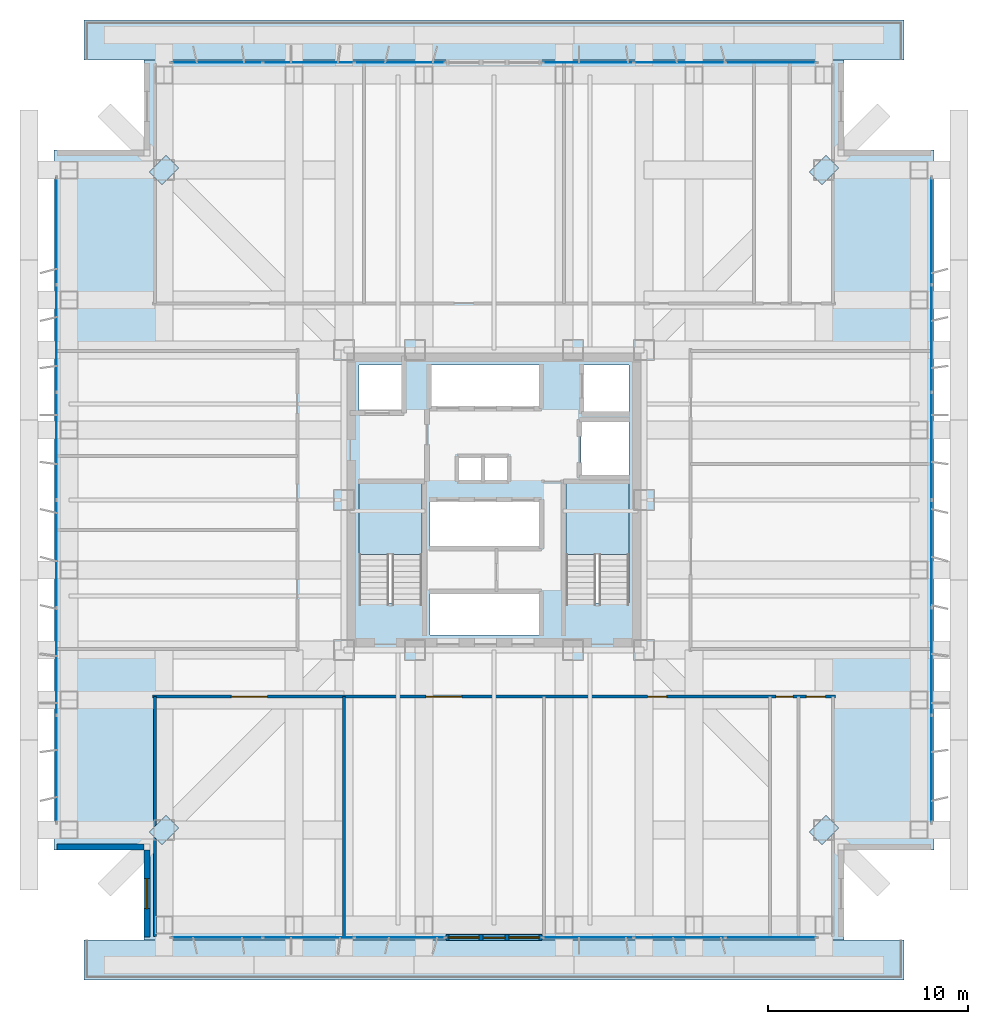
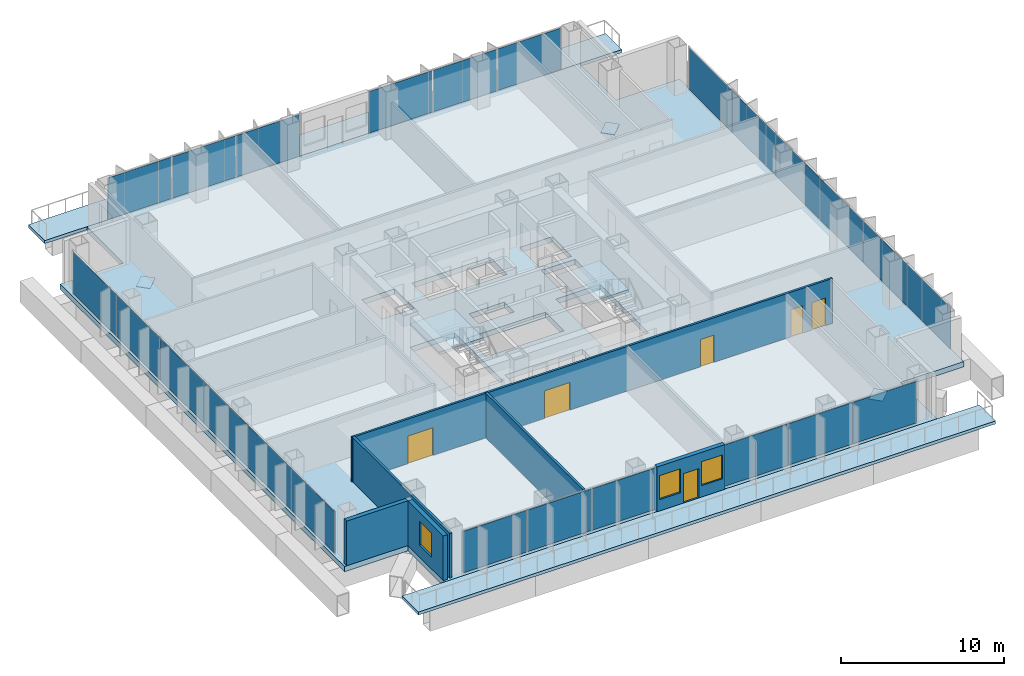
# One storey, part 11 of 17: 28 plates, 6 doors, 6 walls, 5 slabs, 3 windows, 9 openings, 8 elements without a shape of their own.
"""IFC4 building model written with IfcOpenShell, lengths in metres."""

import ifcopenshell
import ifcopenshell.guid

model = None  # the IFC model being written
_history = None  # IfcOwnerHistory: only IFC2X3 demands one
_inside = {}  # id of a spatial element -> (the spatial element, [elements in it])
_under = {}  # id of a project, library or spatial element -> (it, [spatial elements below it])
_declared = {}  # id of a project -> (the project, [libraries it declares])
_typed = {}  # id of a type object -> (the type object, [elements of that type])
_made_of = {}  # id of a material, layer set ... -> (it, [elements and type objects made of it])


def new_model(schema):
    """Start an empty IFC model of exactly this schema.

    Asked for "IFC4X3", IfcOpenShell would pick the latest addendum, in which some entities
    have other attributes; the version numbers below select the first issue.
    IFC2X3 requires an IfcOwnerHistory on every rooted entity: one is made here for all.
    """
    global model, _history
    if schema == "IFC4X3":
        model = ifcopenshell.file(schema_version=(4, 3, 0, 0))
    else:
        model = ifcopenshell.file(schema=schema)
    _inside.clear()
    _under.clear()
    _declared.clear()
    _typed.clear()
    _made_of.clear()
    _history = None
    if model.schema == "IFC2X3":
        org = make("IfcOrganization", Name="unknown")
        user = make(
            "IfcPersonAndOrganization",
            ThePerson=make("IfcPerson", FamilyName="unknown"),
            TheOrganization=org,
        )
        app = make(
            "IfcApplication",
            ApplicationDeveloper=org,
            Version="unknown",
            ApplicationFullName="unknown",
            ApplicationIdentifier="unknown",
        )
        _history = make(
            "IfcOwnerHistory",
            OwningUser=user,
            OwningApplication=app,
            ChangeAction="ADDED",
            CreationDate=0,
        )
    return model


def make(cls, **values):
    """One entity of the class cls with the attributes given. An attribute that is None is left unset."""
    return model.create_entity(
        cls, **{name: value for name, value in values.items() if value is not None}
    )


def rooted(cls, **values):
    """An entity with a GlobalId (a new one), such as an element, a storey or a relation."""
    return make(cls, GlobalId=ifcopenshell.guid.new(), OwnerHistory=_history, **values)


def si_unit(unit_type, name, prefix=None):
    """IfcSIUnit, for example si_unit("LENGTHUNIT", "METRE", prefix="MILLI")."""
    return make("IfcSIUnit", UnitType=unit_type, Prefix=prefix, Name=name)


def assignment(units):
    """IfcUnitAssignment: the units of a project."""
    return None if units is None else make("IfcUnitAssignment", Units=units)


def point(xyz):
    """IfcCartesianPoint."""
    return None if xyz is None else make("IfcCartesianPoint", Coordinates=xyz)


def direction(xyz):
    """IfcDirection."""
    return None if xyz is None else make("IfcDirection", DirectionRatios=xyz)


def frame(location, z_axis=None, x_axis=None):
    """IfcAxis2Placement3D, a coordinate frame: its origin and axes. An axis left out is left unset."""
    return make(
        "IfcAxis2Placement3D",
        Location=point(location),
        Axis=direction(z_axis),
        RefDirection=direction(x_axis),
    )


def frame_2d(location, x_axis=None):
    """IfcAxis2Placement2D, a coordinate frame in the plane: its origin and x axis."""
    return make(
        "IfcAxis2Placement2D", Location=point(location), RefDirection=direction(x_axis)
    )


def origin():
    """The frame at (0, 0, 0) with its axes left unset."""
    return frame((0.0, 0.0, 0.0))


def origin_2d():
    """The frame at (0, 0) in the plane with its x axis left unset."""
    return frame_2d((0.0, 0.0))


def place(relative_to, where):
    """IfcLocalPlacement: puts the frame where relative to a parent placement (None: the world)."""
    return make(
        "IfcLocalPlacement", PlacementRelTo=relative_to, RelativePlacement=where
    )


def context(
    kind, dimensions, precision=None, world=None, true_north=None, identifier=None
):
    """IfcGeometricRepresentationContext, for example the 3D "Model" context."""
    return make(
        "IfcGeometricRepresentationContext",
        ContextIdentifier=identifier,
        ContextType=kind,
        CoordinateSpaceDimension=dimensions,
        Precision=precision,
        WorldCoordinateSystem=world,
        TrueNorth=true_north,
    )


def subcontext(parent, identifier, kind, view, scale=None):
    """IfcGeometricRepresentationSubContext, for example "Body" below "Model"."""
    return make(
        "IfcGeometricRepresentationSubContext",
        ContextIdentifier=identifier,
        ContextType=kind,
        ParentContext=parent,
        TargetScale=scale,
        TargetView=view,
    )


def project(units=None, contexts=None):
    """IfcProject with its units and contexts."""
    return rooted(
        "IfcProject",
        Name="project",
        RepresentationContexts=contexts,
        UnitsInContext=assignment(units),
    )


def spatial(cls, under=None, at=None, **own):
    """A site, building, storey or space (cls), placed at a placement, below another one or the project."""
    s = rooted(cls, ObjectPlacement=at, **own)
    if under is not None:
        _under.setdefault(under.id(), (under, []))[1].append(s)
    return s


def polyline(points):
    """IfcPolyline through the points."""
    return make("IfcPolyline", Points=[point(p) for p in points])


def profile(cls, at=None, kind="AREA", **sizes):
    """A parametric profile (cls). Its sizes go by their IFC names, for example OverallWidth=200.0."""
    return make(cls, ProfileType=kind, Position=at, **sizes)


def rectangle(**sizes):
    """IfcRectangleProfileDef."""
    return profile("IfcRectangleProfileDef", **sizes)


def outline(outer, holes=None, kind="AREA"):
    """IfcArbitraryClosedProfileDef: a profile drawn as a closed curve; with holes, ...WithVoids."""
    if holes is None:
        return make("IfcArbitraryClosedProfileDef", ProfileType=kind, OuterCurve=outer)
    return make(
        "IfcArbitraryProfileDefWithVoids",
        ProfileType=kind,
        OuterCurve=outer,
        InnerCurves=holes,
    )


def extrude(swept, where, along, depth):
    """IfcExtrudedAreaSolid: the profile swept, set in the frame where, extruded along a direction by depth."""
    return make(
        "IfcExtrudedAreaSolid",
        SweptArea=swept,
        Position=where,
        ExtrudedDirection=direction(along),
        Depth=depth,
    )


def shape(context_of_items, identifier, shape_type, items):
    """IfcShapeRepresentation: the items that make up one representation, for example the "Body"."""
    return make(
        "IfcShapeRepresentation",
        ContextOfItems=context_of_items,
        RepresentationIdentifier=identifier,
        RepresentationType=shape_type,
        Items=items,
    )


def material(Name=None, Category=None):
    """IfcMaterial."""
    return make("IfcMaterial", Name=Name, Category=Category)


def layer(
    of_material, thickness, ventilated=None, Name=None, Category=None, Priority=None
):
    """IfcMaterialLayer: one layer of a wall or slab, of a material (None: an air gap)."""
    return make(
        "IfcMaterialLayer",
        Material=of_material,
        LayerThickness=thickness,
        IsVentilated=ventilated,
        Name=Name,
        Category=Category,
        Priority=Priority,
    )


def layer_set(layers, Name=None):
    """IfcMaterialLayerSet."""
    return make("IfcMaterialLayerSet", MaterialLayers=layers, LayerSetName=Name)


def made_of(thing, what):
    """Note that an element or type object is made of a material, layer set ...; save() writes the relation."""
    if what is not None:
        _made_of.setdefault(what.id(), (what, []))[1].append(thing)
    return thing


def type_object(cls, material=None, **own):
    """A type object (cls), such as IfcWallType, which elements share."""
    return made_of(rooted(cls, **own), material)


def element(
    cls,
    number,
    at=None,
    inside=None,
    cuts=None,
    type_object=None,
    material=None,
    context=None,
    identifier="Body",
    shape_type=None,
    held_by="IfcProductDefinitionShape",
    body=None,
    shapes=None,
    **own,
):
    """One element of the class cls, such as IfcWall. Its Tag is "e" and its number.

    at: its placement. inside: the storey or other place that contains it. cuts: it is an
    opening in that element (IfcRelVoidsElement). A single representation is given by context,
    identifier, shape_type and body (its items); several are given by shapes. held_by: the class
    of the entity that holds the representations. save() writes the other relations.
    """
    e = rooted(cls, Tag="e%d" % number, ObjectPlacement=at, **own)
    if body is not None:
        shapes = [shape(context, identifier, shape_type, body)]
    if shapes is not None:
        e.Representation = make(held_by, Representations=shapes)
    if inside is not None:
        _inside.setdefault(inside.id(), (inside, []))[1].append(e)
    if cuts is not None:
        rooted(
            "IfcRelVoidsElement", RelatingBuildingElement=cuts, RelatedOpeningElement=e
        )
    if type_object is not None:
        _typed.setdefault(type_object.id(), (type_object, []))[1].append(e)
    return made_of(e, material)


def fill(opening, filler):
    """IfcRelFillsElement: the door or window that sits in an opening."""
    return rooted(
        "IfcRelFillsElement",
        RelatingOpeningElement=opening,
        RelatedBuildingElement=filler,
    )


def aggregate(whole, parts):
    """IfcRelAggregates: a whole, such as a stair, and the parts it consists of."""
    return rooted("IfcRelAggregates", RelatingObject=whole, RelatedObjects=parts)


def save(model, path):
    """Write the relations noted so far, then the file.

    IfcRelAggregates (storeys below a building ...), IfcRelContainedInSpatialStructure (elements
    in a storey), IfcRelDefinesByType, IfcRelAssociatesMaterial and IfcRelDeclares: one each for
    every whole, place, type object, material and project.
    """
    for whole, parts in _under.values():
        aggregate(whole, parts)
    for where, things in _inside.values():
        rooted(
            "IfcRelContainedInSpatialStructure",
            RelatedElements=things,
            RelatingStructure=where,
        )
    for kind, things in _typed.values():
        rooted("IfcRelDefinesByType", RelatedObjects=things, RelatingType=kind)
    for what, things in _made_of.values():
        rooted("IfcRelAssociatesMaterial", RelatedObjects=things, RelatingMaterial=what)
    for by, libraries in _declared.values():
        rooted("IfcRelDeclares", RelatingContext=by, RelatedDefinitions=libraries)
    model.write(path)


model = new_model("IFC4")

# Units and contexts
model_context = context("Model", 3, precision=1e-05, world=origin(), true_north=direction((0.0, 1.0)))
body_context = subcontext(model_context, "Body", "Model", "MODEL_VIEW")
ifc_project = project(units=[si_unit("LENGTHUNIT", "METRE"), si_unit("AREAUNIT", "SQUARE_METRE"), si_unit("VOLUMEUNIT", "CUBIC_METRE"), si_unit("PLANEANGLEUNIT", "RADIAN"), si_unit("MASSUNIT", "GRAM", prefix="KILO")], contexts=[model_context])

# Site, building, storey
site_placement = place(None, origin())
site = spatial("IfcSite", under=ifc_project, at=site_placement, CompositionType="ELEMENT")
building_placement = place(site_placement, origin())
building = spatial("IfcBuilding", under=site, at=building_placement, Name="Trevonay Congress Spire", CompositionType="ELEMENT")
storey_placement = place(building_placement, frame((0.0, 0.0, 94.0)))
storey = spatial("IfcBuildingStorey", under=building, at=storey_placement, Name="L23", CompositionType="ELEMENT", Elevation=94.0)

# Curtain wall, plates
ifc_material_1 = material(Name="Pale Anodised Aluminium EN AW-6063-T6", Category="aluminium")
ifc_layer_1 = layer(ifc_material_1, 0.175048828125, Name="Pale Anodised Aluminium EN AW-6063-T6")
ifc_layer_set_1 = layer_set([ifc_layer_1], Name="Pale Anodised Aluminium EN AW-6063-T6")
curtain_wall_type = type_object("IfcCurtainWallType", Name="CW-SYS03-CONGRESS-PALE-METAL", PredefinedType="NOTDEFINED", material=ifc_layer_set_1)
curtain_wall_1_placement = place(storey_placement, origin())
curtain_wall_1 = element("IfcCurtainWall", 1, at=curtain_wall_1_placement, inside=storey, type_object=curtain_wall_type, Name="L23 SA unitised curtain wall", PredefinedType="NOTDEFINED")
ifc_material_2 = material(Name="Insulated Low-E Vision Glass IGU", Category="glass")
ifc_layer_2 = layer(ifc_material_2, 0.035888671875, Name="Insulated Low-E Vision Glass IGU")
ifc_layer_set_2 = layer_set([ifc_layer_2], Name="Insulated Low-E Vision Glass IGU")
plate_type_1 = type_object("IfcPlateType", Name="CW-PANEL-IGU36-SILVER", PredefinedType="CURTAIN_PANEL", material=ifc_layer_set_2)
plate_1_placement = place(storey_placement, frame((-13.84326171875, -21.8798828125, 0.119873046875), z_axis=(0.0, 0.0, 1.0), x_axis=(1.0, 0.0, 0.0)))
plate_1 = element("IfcPlate", 2, at=plate_1_placement, type_object=plate_type_1, Name="CW03 panel 1.1", PredefinedType="CURTAIN_PANEL", context=body_context, shape_type="SweptSolid", body=[
    extrude(rectangle(XDim=4.493408203125, YDim=0.035888671875, at=origin_2d()), origin(), (0.0, 0.0, 1.0), 3.1201171875),
])
plate_2_placement = place(storey_placement, frame((-9.27490234375, -21.8798828125, 0.119873046875), z_axis=(0.0, 0.0, 1.0), x_axis=(1.0, 0.0, 0.0)))
plate_2 = element("IfcPlate", 3, at=plate_2_placement, type_object=plate_type_1, Name="CW03 panel 2.1", PredefinedType="CURTAIN_PANEL", context=body_context, shape_type="SweptSolid", body=[
    extrude(rectangle(XDim=4.5234375, YDim=0.035888671875, at=origin_2d()), origin(), (0.0, 0.0, 1.0), 3.1201171875),
])
plate_3_placement = place(storey_placement, frame((-4.706787109375, -21.8798828125, 0.119873046875), z_axis=(0.0, 0.0, 1.0), x_axis=(1.0, 0.0, 0.0)))
plate_3 = element("IfcPlate", 4, at=plate_3_placement, type_object=plate_type_1, Name="CW03 panel 3.1", PredefinedType="CURTAIN_PANEL", context=body_context, shape_type="SweptSolid", body=[
    extrude(rectangle(XDim=4.493408203125, YDim=0.035888671875, at=origin_2d()), origin(), (0.0, 0.0, 1.0), 3.1201171875),
])
aggregate(curtain_wall_1, [plate_1, plate_2, plate_3])

curtain_wall_2_placement = place(storey_placement, origin())
curtain_wall_2 = element("IfcCurtainWall", 5, at=curtain_wall_2_placement, inside=storey, type_object=curtain_wall_type, Name="L23 SB unitised curtain wall", PredefinedType="NOTDEFINED")
plate_4_placement = place(storey_placement, frame((4.706787109375, -21.8798828125, 0.119873046875), z_axis=(0.0, 0.0, 1.0), x_axis=(1.0, 0.0, 0.0)))
plate_4 = element("IfcPlate", 6, at=plate_4_placement, type_object=plate_type_1, Name="CW03 panel 1.1", PredefinedType="CURTAIN_PANEL", context=body_context, shape_type="SweptSolid", body=[
    extrude(rectangle(XDim=4.493408203125, YDim=0.035888671875, at=origin_2d()), origin(), (0.0, 0.0, 1.0), 3.1201171875),
])
plate_5_placement = place(storey_placement, frame((9.27490234375, -21.8798828125, 0.119873046875), z_axis=(0.0, 0.0, 1.0), x_axis=(1.0, 0.0, 0.0)))
plate_5 = element("IfcPlate", 7, at=plate_5_placement, type_object=plate_type_1, Name="CW03 panel 2.1", PredefinedType="CURTAIN_PANEL", context=body_context, shape_type="SweptSolid", body=[
    extrude(rectangle(XDim=4.5234375, YDim=0.035888671875, at=origin_2d()), origin(), (0.0, 0.0, 1.0), 3.1201171875),
])
plate_6_placement = place(storey_placement, frame((13.84326171875, -21.8798828125, 0.119873046875), z_axis=(0.0, 0.0, 1.0), x_axis=(1.0, 0.0, 0.0)))
plate_6 = element("IfcPlate", 8, at=plate_6_placement, type_object=plate_type_1, Name="CW03 panel 3.1", PredefinedType="CURTAIN_PANEL", context=body_context, shape_type="SweptSolid", body=[
    extrude(rectangle(XDim=4.493408203125, YDim=0.035888671875, at=origin_2d()), origin(), (0.0, 0.0, 1.0), 3.1201171875),
])
aggregate(curtain_wall_2, [plate_4, plate_5, plate_6])

curtain_wall_3_placement = place(storey_placement, origin())
curtain_wall_3 = element("IfcCurtainWall", 9, at=curtain_wall_3_placement, inside=storey, type_object=curtain_wall_type, Name="L23 NA unitised curtain wall", PredefinedType="NOTDEFINED")
plate_7_placement = place(storey_placement, frame((-13.84326171875, 21.8798828125, 0.119873046875), z_axis=(0.0, 0.0, 1.0), x_axis=(1.0, 0.0, 0.0)))
plate_7 = element("IfcPlate", 10, at=plate_7_placement, type_object=plate_type_1, Name="CW03 panel 1.1", PredefinedType="CURTAIN_PANEL", context=body_context, shape_type="SweptSolid", body=[
    extrude(rectangle(XDim=4.493408203125, YDim=0.035888671875, at=origin_2d()), origin(), (0.0, 0.0, 1.0), 3.1201171875),
])
plate_8_placement = place(storey_placement, frame((-9.27490234375, 21.8798828125, 0.119873046875), z_axis=(0.0, 0.0, 1.0), x_axis=(1.0, 0.0, 0.0)))
plate_8 = element("IfcPlate", 11, at=plate_8_placement, type_object=plate_type_1, Name="CW03 panel 2.1", PredefinedType="CURTAIN_PANEL", context=body_context, shape_type="SweptSolid", body=[
    extrude(rectangle(XDim=4.5234375, YDim=0.035888671875, at=origin_2d()), origin(), (0.0, 0.0, 1.0), 3.1201171875),
])
plate_9_placement = place(storey_placement, frame((-4.706787109375, 21.8798828125, 0.119873046875), z_axis=(0.0, 0.0, 1.0), x_axis=(1.0, 0.0, 0.0)))
plate_9 = element("IfcPlate", 12, at=plate_9_placement, type_object=plate_type_1, Name="CW03 panel 3.1", PredefinedType="CURTAIN_PANEL", context=body_context, shape_type="SweptSolid", body=[
    extrude(rectangle(XDim=4.493408203125, YDim=0.035888671875, at=origin_2d()), origin(), (0.0, 0.0, 1.0), 3.1201171875),
])
aggregate(curtain_wall_3, [plate_7, plate_8, plate_9])

curtain_wall_4_placement = place(storey_placement, origin())
curtain_wall_4 = element("IfcCurtainWall", 13, at=curtain_wall_4_placement, inside=storey, type_object=curtain_wall_type, Name="L23 NB unitised curtain wall", PredefinedType="NOTDEFINED")
plate_10_placement = place(storey_placement, frame((4.706787109375, 21.8798828125, 0.119873046875), z_axis=(0.0, 0.0, 1.0), x_axis=(1.0, 0.0, 0.0)))
plate_10 = element("IfcPlate", 14, at=plate_10_placement, type_object=plate_type_1, Name="CW03 panel 1.1", PredefinedType="CURTAIN_PANEL", context=body_context, shape_type="SweptSolid", body=[
    extrude(rectangle(XDim=4.493408203125, YDim=0.035888671875, at=origin_2d()), origin(), (0.0, 0.0, 1.0), 3.1201171875),
])
plate_11_placement = place(storey_placement, frame((9.27490234375, 21.8798828125, 0.119873046875), z_axis=(0.0, 0.0, 1.0), x_axis=(1.0, 0.0, 0.0)))
plate_11 = element("IfcPlate", 15, at=plate_11_placement, type_object=plate_type_1, Name="CW03 panel 2.1", PredefinedType="CURTAIN_PANEL", context=body_context, shape_type="SweptSolid", body=[
    extrude(rectangle(XDim=4.5234375, YDim=0.035888671875, at=origin_2d()), origin(), (0.0, 0.0, 1.0), 3.1201171875),
])
plate_12_placement = place(storey_placement, frame((13.84326171875, 21.8798828125, 0.119873046875), z_axis=(0.0, 0.0, 1.0), x_axis=(1.0, 0.0, 0.0)))
plate_12 = element("IfcPlate", 16, at=plate_12_placement, type_object=plate_type_1, Name="CW03 panel 3.1", PredefinedType="CURTAIN_PANEL", context=body_context, shape_type="SweptSolid", body=[
    extrude(rectangle(XDim=4.493408203125, YDim=0.035888671875, at=origin_2d()), origin(), (0.0, 0.0, 1.0), 3.1201171875),
])
aggregate(curtain_wall_4, [plate_10, plate_11, plate_12])

curtain_wall_5_placement = place(storey_placement, origin())
curtain_wall_5 = element("IfcCurtainWall", 17, at=curtain_wall_5_placement, inside=storey, type_object=curtain_wall_type, Name="L23 W unitised curtain wall", PredefinedType="NOTDEFINED")
plate_13_placement = place(storey_placement, frame((-21.8798828125, -13.443359375, 0.119873046875), z_axis=(0.0, 0.0, 1.0), x_axis=(0.0, 1.0, 0.0)))
plate_13 = element("IfcPlate", 18, at=plate_13_placement, type_object=plate_type_1, Name="CW03 panel 1.1", PredefinedType="CURTAIN_PANEL", context=body_context, shape_type="SweptSolid", body=[
    extrude(rectangle(XDim=5.293212890625, YDim=0.035888671875, at=origin_2d()), origin(), (0.0, 0.0, 1.0), 3.1201171875),
])
plate_14_placement = place(storey_placement, frame((-21.8798828125, -8.074951171875, 0.119873046875), z_axis=(0.0, 0.0, 1.0), x_axis=(0.0, 1.0, 0.0)))
plate_14 = element("IfcPlate", 19, at=plate_14_placement, type_object=plate_type_1, Name="CW03 panel 2.1", PredefinedType="CURTAIN_PANEL", context=body_context, shape_type="SweptSolid", body=[
    extrude(rectangle(XDim=5.3232421875, YDim=0.035888671875, at=origin_2d()), origin(), (0.0, 0.0, 1.0), 3.1201171875),
])
plate_15_placement = place(storey_placement, frame((-21.8798828125, -2.691650390625, 0.119873046875), z_axis=(0.0, 0.0, 1.0), x_axis=(0.0, 1.0, 0.0)))
plate_15 = element("IfcPlate", 20, at=plate_15_placement, type_object=plate_type_1, Name="CW03 panel 3.1", PredefinedType="CURTAIN_PANEL", context=body_context, shape_type="SweptSolid", body=[
    extrude(rectangle(XDim=5.3232421875, YDim=0.035888671875, at=origin_2d()), origin(), (0.0, 0.0, 1.0), 3.1201171875),
])
plate_16_placement = place(storey_placement, frame((-21.8798828125, 2.691650390625, 0.119873046875), z_axis=(0.0, 0.0, 1.0), x_axis=(0.0, 1.0, 0.0)))
plate_16 = element("IfcPlate", 21, at=plate_16_placement, type_object=plate_type_1, Name="CW03 panel 4.1", PredefinedType="CURTAIN_PANEL", context=body_context, shape_type="SweptSolid", body=[
    extrude(rectangle(XDim=5.3232421875, YDim=0.035888671875, at=origin_2d()), origin(), (0.0, 0.0, 1.0), 3.1201171875),
])
plate_17_placement = place(storey_placement, frame((-21.8798828125, 8.074951171875, 0.119873046875), z_axis=(0.0, 0.0, 1.0), x_axis=(0.0, 1.0, 0.0)))
plate_17 = element("IfcPlate", 22, at=plate_17_placement, type_object=plate_type_1, Name="CW03 panel 5.1", PredefinedType="CURTAIN_PANEL", context=body_context, shape_type="SweptSolid", body=[
    extrude(rectangle(XDim=5.3232421875, YDim=0.035888671875, at=origin_2d()), origin(), (0.0, 0.0, 1.0), 3.1201171875),
])
plate_18_placement = place(storey_placement, frame((-21.8798828125, 13.443359375, 0.119873046875), z_axis=(0.0, 0.0, 1.0), x_axis=(0.0, 1.0, 0.0)))
plate_18 = element("IfcPlate", 23, at=plate_18_placement, type_object=plate_type_1, Name="CW03 panel 6.1", PredefinedType="CURTAIN_PANEL", context=body_context, shape_type="SweptSolid", body=[
    extrude(rectangle(XDim=5.293212890625, YDim=0.035888671875, at=origin_2d()), origin(), (0.0, 0.0, 1.0), 3.1201171875),
])
aggregate(curtain_wall_5, [plate_13, plate_14, plate_15, plate_16, plate_17, plate_18])

curtain_wall_6_placement = place(storey_placement, origin())
curtain_wall_6 = element("IfcCurtainWall", 24, at=curtain_wall_6_placement, inside=storey, type_object=curtain_wall_type, Name="L23 E unitised curtain wall", PredefinedType="NOTDEFINED")
plate_19_placement = place(storey_placement, frame((21.8798828125, -13.443359375, 0.119873046875), z_axis=(0.0, 0.0, 1.0), x_axis=(0.0, 1.0, 0.0)))
plate_19 = element("IfcPlate", 25, at=plate_19_placement, type_object=plate_type_1, Name="CW03 panel 1.1", PredefinedType="CURTAIN_PANEL", context=body_context, shape_type="SweptSolid", body=[
    extrude(rectangle(XDim=5.293212890625, YDim=0.035888671875, at=origin_2d()), origin(), (0.0, 0.0, 1.0), 3.1201171875),
])
plate_20_placement = place(storey_placement, frame((21.8798828125, -8.074951171875, 0.119873046875), z_axis=(0.0, 0.0, 1.0), x_axis=(0.0, 1.0, 0.0)))
plate_20 = element("IfcPlate", 26, at=plate_20_placement, type_object=plate_type_1, Name="CW03 panel 2.1", PredefinedType="CURTAIN_PANEL", context=body_context, shape_type="SweptSolid", body=[
    extrude(rectangle(XDim=5.3232421875, YDim=0.035888671875, at=origin_2d()), origin(), (0.0, 0.0, 1.0), 3.1201171875),
])
plate_21_placement = place(storey_placement, frame((21.8798828125, -2.691650390625, 0.119873046875), z_axis=(0.0, 0.0, 1.0), x_axis=(0.0, 1.0, 0.0)))
plate_21 = element("IfcPlate", 27, at=plate_21_placement, type_object=plate_type_1, Name="CW03 panel 3.1", PredefinedType="CURTAIN_PANEL", context=body_context, shape_type="SweptSolid", body=[
    extrude(rectangle(XDim=5.3232421875, YDim=0.035888671875, at=origin_2d()), origin(), (0.0, 0.0, 1.0), 3.1201171875),
])
plate_22_placement = place(storey_placement, frame((21.8798828125, 2.691650390625, 0.119873046875), z_axis=(0.0, 0.0, 1.0), x_axis=(0.0, 1.0, 0.0)))
plate_22 = element("IfcPlate", 28, at=plate_22_placement, type_object=plate_type_1, Name="CW03 panel 4.1", PredefinedType="CURTAIN_PANEL", context=body_context, shape_type="SweptSolid", body=[
    extrude(rectangle(XDim=5.3232421875, YDim=0.035888671875, at=origin_2d()), origin(), (0.0, 0.0, 1.0), 3.1201171875),
])
plate_23_placement = place(storey_placement, frame((21.8798828125, 8.074951171875, 0.119873046875), z_axis=(0.0, 0.0, 1.0), x_axis=(0.0, 1.0, 0.0)))
plate_23 = element("IfcPlate", 29, at=plate_23_placement, type_object=plate_type_1, Name="CW03 panel 5.1", PredefinedType="CURTAIN_PANEL", context=body_context, shape_type="SweptSolid", body=[
    extrude(rectangle(XDim=5.3232421875, YDim=0.035888671875, at=origin_2d()), origin(), (0.0, 0.0, 1.0), 3.1201171875),
])
plate_24_placement = place(storey_placement, frame((21.8798828125, 13.443359375, 0.119873046875), z_axis=(0.0, 0.0, 1.0), x_axis=(0.0, 1.0, 0.0)))
plate_24 = element("IfcPlate", 30, at=plate_24_placement, type_object=plate_type_1, Name="CW03 panel 6.1", PredefinedType="CURTAIN_PANEL", context=body_context, shape_type="SweptSolid", body=[
    extrude(rectangle(XDim=5.293212890625, YDim=0.035888671875, at=origin_2d()), origin(), (0.0, 0.0, 1.0), 3.1201171875),
])
aggregate(curtain_wall_6, [plate_19, plate_20, plate_21, plate_22, plate_23, plate_24])

# Plates
ifc_material_3 = material(Name="Steel ASTM A572 Grade 50", Category="steel")
ifc_layer_3 = layer(ifc_material_3, 0.044921875, Name="Steel ASTM A572 Grade 50")
ifc_layer_set_3 = layer_set([ifc_layer_3], Name="Steel ASTM A572 Grade 50")
plate_type_2 = type_object("IfcPlateType", Name="PLT-GUSSET-INT-45", PredefinedType="USERDEFINED", material=ifc_layer_set_3)
for number, where, z_axis, x_axis, name in (
    (31, (-16.5, -16.5, -1.222412109375), (0.0, 0.0, 1.0), (0.707106781187, 0.707106781187, 0.0), "L23 setback column transfer gusset plate KN-01 (SW)"),
    (32, (16.5, -16.5, -1.222412109375), (0.0, 0.0, 1.0), (0.707106781187, 0.707106781187, 0.0), "L23 setback column transfer gusset plate KN-01 (SE)"),
    (33, (16.5, 16.5, -1.222412109375), (0.0, 0.0, 1.0), (0.707106781187, 0.707106781187, 0.0), "L23 setback column transfer gusset plate KN-01 (NE)"),
    (34, (-16.5, 16.5, -1.222412109375), (0.0, 0.0, 1.0), (0.707106781187, 0.707106781187, 0.0), "L23 setback column transfer gusset plate KN-01 (NW)"),
):
    element("IfcPlate", number, at=place(storey_placement, frame(where, z_axis=z_axis, x_axis=x_axis)), inside=storey, type_object=plate_type_2, Name=name, ObjectType="GUSSET_PLATE", PredefinedType="USERDEFINED", context=body_context, shape_type="SweptSolid", body=[
        extrude(rectangle(XDim=1.199951171875, YDim=0.89990234375, at=origin_2d()), origin(), (0.0, 0.0, 1.0), 0.044921875),
    ])

# Slabs
ifc_material_4 = material(Name="Concrete C40/50", Category="concrete")
ifc_layer_4 = layer(ifc_material_4, 0.22998046875, Name="Concrete C40/50")
ifc_layer_set_4 = layer_set([ifc_layer_4], Name="Concrete C40/50")
slab_type_1 = type_object("IfcSlabType", Name="SLB-SKYGARD-230", PredefinedType="FLOOR", material=ifc_layer_set_4)
slab_1_placement = place(storey_placement, frame((0.0, 0.0, -0.22998046875)))
element("IfcSlab", 35, at=slab_1_placement, inside=storey, type_object=slab_type_1, Name="L23 setback sky-garden terrace slab S", PredefinedType="FLOOR", context=body_context, shape_type="SweptSolid", body=[
    extrude(outline(polyline([(-20.5, -24.0), (20.5, -24.0), (20.5, -22.0), (-20.5, -22.0), (-20.5, -24.0)])), origin(), (0.0, 0.0, 1.0), 0.22998046875),
])
slab_2_placement = place(storey_placement, frame((0.0, 0.0, -0.22998046875)))
element("IfcSlab", 36, at=slab_2_placement, inside=storey, type_object=slab_type_1, Name="L23 setback sky-garden terrace slab N", PredefinedType="FLOOR", context=body_context, shape_type="SweptSolid", body=[
    extrude(outline(polyline([(-20.5, 22.0), (20.5, 22.0), (20.5, 24.0), (-20.5, 24.0), (-20.5, 22.0)])), origin(), (0.0, 0.0, 1.0), 0.22998046875),
])

# Stair, slab
stair_type_1 = type_object("IfcStairType", Name="STR-ST-1", PredefinedType="HALF_TURN_STAIR", material=ifc_material_4)
stair_1_placement = place(storey_placement, origin())
stair_1 = element("IfcStair", 37, at=stair_1_placement, inside=storey, type_object=stair_type_1, Name="L23 Protected Exit Stair ST-1", PredefinedType="HALF_TURN_STAIR")
ifc_layer_5 = layer(ifc_material_4, 0.199951171875, Name="Concrete C40/50")
ifc_layer_set_5 = layer_set([ifc_layer_5], Name="Concrete C40/50")
slab_type_2 = type_object("IfcSlabType", Name="SLB-STAIR-LAND-200", PredefinedType="LANDING", material=ifc_layer_set_5)
slab_3_placement = place(storey_placement, frame((0.0, 0.0, 1.60009765625)))
slab_3 = element("IfcSlab", 38, at=slab_3_placement, type_object=slab_type_2, Name="ST-1 landing 1", PredefinedType="LANDING", context=body_context, shape_type="SweptSolid", body=[
    extrude(outline(polyline([(-3.60009765625, -2.72998046875), (-3.60009765625, 0.85009765625), (-6.75, 0.85009765625), (-6.75, -2.72998046875), (-3.60009765625, -2.72998046875)])), origin(), (0.0, 0.0, 1.0), 0.199951171875),
])
aggregate(stair_1, [slab_3])

stair_type_2 = type_object("IfcStairType", Name="STR-ST-2", PredefinedType="HALF_TURN_STAIR", material=ifc_material_4)
stair_2_placement = place(storey_placement, origin())
stair_2 = element("IfcStair", 39, at=stair_2_placement, inside=storey, type_object=stair_type_2, Name="L23 Protected Exit Stair ST-2", PredefinedType="HALF_TURN_STAIR")
slab_4_placement = place(storey_placement, frame((0.0, 0.0, 1.60009765625)))
slab_4 = element("IfcSlab", 40, at=slab_4_placement, type_object=slab_type_2, Name="ST-2 landing 1", PredefinedType="LANDING", context=body_context, shape_type="SweptSolid", body=[
    extrude(outline(polyline([(6.75, -2.72998046875), (6.75, 0.85009765625), (3.60009765625, 0.85009765625), (3.60009765625, -2.72998046875), (6.75, -2.72998046875)])), origin(), (0.0, 0.0, 1.0), 0.199951171875),
])
aggregate(stair_2, [slab_4])

# Slab
ifc_layer_6 = layer(ifc_material_4, 0.39990234375, Name="Concrete C40/50")
ifc_layer_set_6 = layer_set([ifc_layer_6], Name="Concrete C40/50")
slab_type_3 = type_object("IfcSlabType", Name="SLB-XFER-400", PredefinedType="FLOOR", material=ifc_layer_set_6)
slab_5_placement = place(storey_placement, frame((0.0, 0.0, -0.39990234375)))
element("IfcSlab", 41, at=slab_5_placement, inside=storey, type_object=slab_type_3, Name="L23 structural floor slab", PredefinedType="FLOOR", context=body_context, shape_type="SweptSolid", body=[
    extrude(outline(polyline([(-17.5, -22.0), (17.5, -22.0), (17.5, -17.5), (22.0, -17.5), (22.0, 17.5), (17.5, 17.5), (17.5, 22.0), (-17.5, 22.0), (-17.5, 17.5), (-22.0, 17.5), (-22.0, -17.5), (-17.5, -17.5), (-17.5, -22.0)]), holes=[polyline([(-3.60009765625, -5.14990234375), (-3.60009765625, 0.85009765625), (-6.75, 0.85009765625), (-6.75, -5.14990234375), (-3.60009765625, -5.14990234375)]), polyline([(6.75, -5.14990234375), (6.75, 0.85009765625), (3.60009765625, 0.85009765625), (3.60009765625, -5.14990234375), (6.75, -5.14990234375)]), polyline([(-3.199951171875, -6.75), (2.340087890625, -6.75), (2.340087890625, -4.64990234375), (-3.199951171875, -4.64990234375), (-3.199951171875, -6.75)]), polyline([(-3.199951171875, -2.35009765625), (2.340087890625, -2.35009765625), (2.340087890625, -0.050048828125), (-3.199951171875, -0.050048828125), (-3.199951171875, -2.35009765625)]), polyline([(-3.199951171875, 4.64990234375), (2.340087890625, 4.64990234375), (2.340087890625, 6.75), (-3.199951171875, 6.75), (-3.199951171875, 4.64990234375)]), polyline([(-6.75, 4.35009765625), (-4.449951171875, 4.35009765625), (-4.449951171875, 6.75), (-6.75, 6.75), (-6.75, 4.35009765625)]), polyline([(4.449951171875, 4.35009765625), (6.75, 4.35009765625), (6.75, 6.75), (4.449951171875, 6.75), (4.449951171875, 4.35009765625)]), polyline([(4.35009765625, 1.199951171875), (6.75, 1.199951171875), (6.75, 3.949951171875), (4.35009765625, 3.949951171875), (4.35009765625, 1.199951171875)]), polyline([(-1.800048828125, 0.949951171875), (0.699951171875, 0.949951171875), (0.699951171875, 2.14990234375), (-1.800048828125, 2.14990234375), (-1.800048828125, 0.949951171875)])]), origin(), (0.0, 0.0, 1.0), 0.39990234375),
])

# Wall, openings, doors
ifc_layer_7 = layer(ifc_material_4, 0.14990234375, Name="Concrete C40/50")
ifc_layer_set_7 = layer_set([ifc_layer_7], Name="Concrete C40/50")
wall_type_1 = type_object("IfcWallType", Name="WAL-CORR-150", PredefinedType="PARTITIONING", material=ifc_layer_set_7)
wall_1_placement = place(storey_placement, frame((-17.070068359375, -9.830078125, 0.0), z_axis=(0.0, 0.0, 1.0), x_axis=(1.0, 0.0, 0.0)))
wall_1 = element("IfcWall", 42, at=wall_1_placement, inside=storey, type_object=wall_type_1, Name="L23 interior wall WP-L23S-COR", PredefinedType="PARTITIONING", context=body_context, shape_type="SweptSolid", body=[
    extrude(rectangle(XDim=34.14013671875, YDim=0.14990234375, at=frame_2d((17.070068359375, 0.0))), origin(), (0.0, 0.0, 1.0), 3.360107421875),
])
opening_1_placement = place(wall_1_placement, frame((3.945068359375, 0.0, 0.0)))
opening_1 = element("IfcOpeningElement", 43, at=opening_1_placement, cuts=wall_1, Name="Opening D09", PredefinedType="OPENING", context=body_context, shape_type="SweptSolid", body=[
    extrude(rectangle(XDim=1.800048828125, YDim=2.080078125, at=frame_2d((0.89990234375, 1.0400390625))), frame((0.0, 0.0849609375, 0.0), z_axis=(0.0, -1.0, 0.0), x_axis=(1.0, 0.0, 0.0)), (0.0, 0.0, 1.0), 0.169921875),
])
opening_2_placement = place(wall_1_placement, frame((13.669921875, 0.0, 0.0)))
opening_2 = element("IfcOpeningElement", 44, at=opening_2_placement, cuts=wall_1, Name="Opening D09", PredefinedType="OPENING", context=body_context, shape_type="SweptSolid", body=[
    extrude(rectangle(XDim=1.800048828125, YDim=2.080078125, at=frame_2d((0.89990234375, 1.0400390625))), frame((0.0, 0.0849609375, 0.0), z_axis=(0.0, -1.0, 0.0), x_axis=(1.0, 0.0, 0.0)), (0.0, 0.0, 1.0), 0.169921875),
])
opening_3_placement = place(wall_1_placement, frame((24.7451171875, 0.0, 0.0)))
opening_3 = element("IfcOpeningElement", 45, at=opening_3_placement, cuts=wall_1, Name="Opening D07", PredefinedType="OPENING", context=body_context, shape_type="SweptSolid", body=[
    extrude(rectangle(XDim=0.949951171875, YDim=2.06005859375, at=frame_2d((0.47509765625, 1.030029296875))), frame((0.0, 0.0849609375, 0.0), z_axis=(0.0, -1.0, 0.0), x_axis=(1.0, 0.0, 0.0)), (0.0, 0.0, 1.0), 0.169921875),
])
opening_4_placement = place(wall_1_placement, frame((31.159912109375, 0.0, 0.0)))
opening_4 = element("IfcOpeningElement", 46, at=opening_4_placement, cuts=wall_1, Name="Opening D10", PredefinedType="OPENING", context=body_context, shape_type="SweptSolid", body=[
    extrude(rectangle(XDim=0.85009765625, YDim=2.050048828125, at=frame_2d((0.425048828125, 1.02490234375))), frame((0.0, 0.0849609375, 0.0), z_axis=(0.0, -1.0, 0.0), x_axis=(1.0, 0.0, 0.0)), (0.0, 0.0, 1.0), 0.169921875),
])
opening_5_placement = place(wall_1_placement, frame((32.68505859375, 0.0, 0.0)))
opening_5 = element("IfcOpeningElement", 47, at=opening_5_placement, cuts=wall_1, Name="Opening D07", PredefinedType="OPENING", context=body_context, shape_type="SweptSolid", body=[
    extrude(rectangle(XDim=0.949951171875, YDim=2.06005859375, at=frame_2d((0.47509765625, 1.030029296875))), frame((0.0, 0.0849609375, 0.0), z_axis=(0.0, -1.0, 0.0), x_axis=(1.0, 0.0, 0.0)), (0.0, 0.0, 1.0), 0.169921875),
])
door_type_1 = type_object("IfcDoorType", Name="DOR-CONF-DBL", OperationType="DOUBLE_DOOR_SINGLE_SWING", PredefinedType="DOOR", material=ifc_material_1)
door_1_placement = place(opening_1_placement, origin())
door_1 = element("IfcDoor", 48, at=door_1_placement, inside=storey, type_object=door_type_1, Name="L23 Zone 2 Sky-Garden Reception Lounge Door", OperationType="DOUBLE_DOOR_SINGLE_SWING", OverallHeight=2.080078125, OverallWidth=1.800048828125, PredefinedType="DOOR", context=body_context, shape_type="SweptSolid", body=[
    extrude(rectangle(XDim=1.800048828125, YDim=2.080078125, at=frame_2d((0.89990234375, 1.0400390625))), frame((0.0, 0.02490234375, 0.0), z_axis=(0.0, -1.0, 0.0), x_axis=(1.0, 0.0, 0.0)), (0.0, 0.0, 1.0), 0.050048828125),
])
fill(opening_1, door_1)
door_2_placement = place(opening_2_placement, origin())
door_2 = element("IfcDoor", 49, at=door_2_placement, inside=storey, type_object=door_type_1, Name="L23 Delegate Espresso Bar Door", OperationType="DOUBLE_DOOR_SINGLE_SWING", OverallHeight=2.080078125, OverallWidth=1.800048828125, PredefinedType="DOOR", context=body_context, shape_type="SweptSolid", body=[
    extrude(rectangle(XDim=1.800048828125, YDim=2.080078125, at=frame_2d((0.89990234375, 1.0400390625))), frame((0.0, 0.02490234375, 0.0), z_axis=(0.0, -1.0, 0.0), x_axis=(1.0, 0.0, 0.0)), (0.0, 0.0, 1.0), 0.050048828125),
])
fill(opening_2, door_2)
door_type_2 = type_object("IfcDoorType", Name="DOR-OFFICE-95", OperationType="NOTDEFINED", PredefinedType="DOOR", material=ifc_material_1)
door_3_placement = place(opening_3_placement, origin())
door_3 = element("IfcDoor", 50, at=door_3_placement, inside=storey, type_object=door_type_2, Name="L23 Sky-Lobby Concierge Office Door", OperationType="SINGLE_SWING_LEFT", OverallHeight=2.06005859375, OverallWidth=0.949951171875, PredefinedType="DOOR", context=body_context, shape_type="SweptSolid", body=[
    extrude(rectangle(XDim=0.949951171875, YDim=2.06005859375, at=frame_2d((0.47509765625, 1.030029296875))), frame((0.0, 0.02490234375, 0.0), z_axis=(0.0, -1.0, 0.0), x_axis=(1.0, 0.0, 0.0)), (0.0, 0.0, 1.0), 0.050048828125),
])
fill(opening_3, door_3)
door_4_placement = place(opening_5_placement, origin())
door_4 = element("IfcDoor", 51, at=door_4_placement, inside=storey, type_object=door_type_2, Name="L23 Floor Supplies and Copy Room Door", OperationType="SINGLE_SWING_LEFT", OverallHeight=2.06005859375, OverallWidth=0.949951171875, PredefinedType="DOOR", context=body_context, shape_type="SweptSolid", body=[
    extrude(rectangle(XDim=0.949951171875, YDim=2.06005859375, at=frame_2d((0.47509765625, 1.030029296875))), frame((0.0, 0.02490234375, 0.0), z_axis=(0.0, -1.0, 0.0), x_axis=(1.0, 0.0, 0.0)), (0.0, 0.0, 1.0), 0.050048828125),
])
fill(opening_5, door_4)
door_type_3 = type_object("IfcDoorType", Name="DOR-WC-85", OperationType="NOTDEFINED", PredefinedType="DOOR", material=ifc_material_1)
door_5_placement = place(opening_4_placement, origin())
door_5 = element("IfcDoor", 52, at=door_5_placement, inside=storey, type_object=door_type_3, Name="L23 Accessible WC Door", OperationType="SINGLE_SWING_RIGHT", OverallHeight=2.050048828125, OverallWidth=0.85009765625, PredefinedType="DOOR", context=body_context, shape_type="SweptSolid", body=[
    extrude(rectangle(XDim=0.85009765625, YDim=2.050048828125, at=frame_2d((0.425048828125, 1.02490234375))), frame((0.0, 0.02490234375, 0.0), z_axis=(0.0, -1.0, 0.0), x_axis=(1.0, 0.0, 0.0)), (0.0, 0.0, 1.0), 0.050048828125),
])
fill(opening_4, door_5)

# Wall, openings, door, windows
ifc_material_5 = material(Name="Precast concrete C40/50", Category="concrete")
ifc_layer_8 = layer(ifc_material_5, 0.300048828125, Name="Precast concrete C40/50")
ifc_layer_set_8 = layer_set([ifc_layer_8], Name="Precast concrete C40/50")
wall_type_2 = type_object("IfcWallType", Name="WAL-EXT-PRECAST-300", PredefinedType="SOLIDWALL", material=ifc_layer_set_8)
wall_2_placement = place(storey_placement, frame((-2.39990234375, -21.8798828125, 0.0), z_axis=(0.0, 0.0, 1.0), x_axis=(1.0, 0.0, 0.0)))
wall_2 = element("IfcWall", 53, at=wall_2_placement, inside=storey, type_object=wall_type_2, Name="L23 S glazed balcony portal exterior wall", PredefinedType="SOLIDWALL", context=body_context, shape_type="SweptSolid", body=[
    extrude(rectangle(XDim=4.7998046875, YDim=0.300048828125, at=frame_2d((2.39990234375, 0.0))), origin(), (0.0, 0.0, 1.0), 3.360107421875),
])
opening_6_placement = place(wall_2_placement, frame((1.85009765625, 0.0, 0.0)))
opening_6 = element("IfcOpeningElement", 54, at=opening_6_placement, cuts=wall_2, Name="Opening D03", PredefinedType="OPENING", context=body_context, shape_type="SweptSolid", body=[
    extrude(rectangle(XDim=1.10009765625, YDim=2.199951171875, at=frame_2d((0.550048828125, 1.10009765625))), frame((0.0, 0.16015625, 0.0), z_axis=(0.0, -1.0, 0.0), x_axis=(1.0, 0.0, 0.0)), (0.0, 0.0, 1.0), 0.320068359375),
])
opening_7_placement = place(wall_2_placement, frame((0.14990234375, 0.0, 0.85009765625)))
opening_7 = element("IfcOpeningElement", 55, at=opening_7_placement, cuts=wall_2, Name="Opening WN03", PredefinedType="OPENING", context=body_context, shape_type="SweptSolid", body=[
    extrude(rectangle(XDim=1.5, YDim=1.800048828125, at=frame_2d((0.75, 0.89990234375))), frame((0.0, 0.16015625, 0.0), z_axis=(0.0, -1.0, 0.0), x_axis=(1.0, 0.0, 0.0)), (0.0, 0.0, 1.0), 0.320068359375),
])
opening_8_placement = place(wall_2_placement, frame((3.14990234375, 0.0, 0.85009765625)))
opening_8 = element("IfcOpeningElement", 56, at=opening_8_placement, cuts=wall_2, Name="Opening WN03", PredefinedType="OPENING", context=body_context, shape_type="SweptSolid", body=[
    extrude(rectangle(XDim=1.5, YDim=1.800048828125, at=frame_2d((0.75, 0.89990234375))), frame((0.0, 0.16015625, 0.0), z_axis=(0.0, -1.0, 0.0), x_axis=(1.0, 0.0, 0.0)), (0.0, 0.0, 1.0), 0.320068359375),
])
door_type_4 = type_object("IfcDoorType", Name="DOR-EXT-BAL-110", OperationType="NOTDEFINED", PredefinedType="DOOR", material=ifc_material_1)
door_6_placement = place(opening_6_placement, origin())
door_6 = element("IfcDoor", 57, at=door_6_placement, inside=storey, type_object=door_type_4, Name="L23 S glazed outdoor terrace and balcony door", OperationType="SINGLE_SWING_LEFT", OverallHeight=2.199951171875, OverallWidth=1.10009765625, PredefinedType="DOOR", context=body_context, shape_type="SweptSolid", body=[
    extrude(rectangle(XDim=1.10009765625, YDim=2.199951171875, at=frame_2d((0.550048828125, 1.10009765625))), frame((0.0, 0.02490234375, 0.0), z_axis=(0.0, -1.0, 0.0), x_axis=(1.0, 0.0, 0.0)), (0.0, 0.0, 1.0), 0.050048828125),
])
fill(opening_6, door_6)
window_type = type_object("IfcWindowType", Name="WIN-NOTCH-150X180", PartitioningType="SINGLE_PANEL", PredefinedType="WINDOW", material=ifc_material_2)
window_1_placement = place(opening_7_placement, origin())
window_1 = element("IfcWindow", 58, at=window_1_placement, inside=storey, type_object=window_type, Name="L23 S balcony sidelight window L", OverallHeight=1.800048828125, OverallWidth=1.5, PartitioningType="SINGLE_PANEL", PredefinedType="WINDOW", context=body_context, shape_type="SweptSolid", body=[
    extrude(rectangle(XDim=1.5, YDim=1.800048828125, at=frame_2d((0.75, 0.89990234375))), frame((0.0, 0.030029296875, 0.0), z_axis=(0.0, -1.0, 0.0), x_axis=(1.0, 0.0, 0.0)), (0.0, 0.0, 1.0), 0.06005859375),
])
fill(opening_7, window_1)
window_2_placement = place(opening_8_placement, origin())
window_2 = element("IfcWindow", 59, at=window_2_placement, inside=storey, type_object=window_type, Name="L23 S balcony sidelight window R", OverallHeight=1.800048828125, OverallWidth=1.5, PartitioningType="SINGLE_PANEL", PredefinedType="WINDOW", context=body_context, shape_type="SweptSolid", body=[
    extrude(rectangle(XDim=1.5, YDim=1.800048828125, at=frame_2d((0.75, 0.89990234375))), frame((0.0, 0.030029296875, 0.0), z_axis=(0.0, -1.0, 0.0), x_axis=(1.0, 0.0, 0.0)), (0.0, 0.0, 1.0), 0.06005859375),
])
fill(opening_8, window_2)

# Wall, opening, window
wall_3_placement = place(storey_placement, frame((-17.35009765625, -21.85009765625, 0.0), z_axis=(0.0, 0.0, 1.0), x_axis=(0.0, 1.0, 0.0)))
wall_3 = element("IfcWall", 60, at=wall_3_placement, inside=storey, type_object=wall_type_2, Name="L23 SW re-entrant notch exterior wall 1", PredefinedType="SOLIDWALL", context=body_context, shape_type="SweptSolid", body=[
    extrude(rectangle(XDim=4.35009765625, YDim=0.300048828125, at=frame_2d((2.175048828125, 0.0))), origin(), (0.0, 0.0, 1.0), 3.360107421875),
])
opening_9_placement = place(wall_3_placement, frame((1.425048828125, 0.0, 0.89990234375)))
opening_9 = element("IfcOpeningElement", 61, at=opening_9_placement, cuts=wall_3, Name="Opening WN03", PredefinedType="OPENING", context=body_context, shape_type="SweptSolid", body=[
    extrude(rectangle(XDim=1.5, YDim=1.800048828125, at=frame_2d((0.75, 0.89990234375))), frame((0.0, 0.16015625, 0.0), z_axis=(0.0, -1.0, 0.0), x_axis=(1.0, 0.0, 0.0)), (0.0, 0.0, 1.0), 0.320068359375),
])
window_3_placement = place(opening_9_placement, origin())
window_3 = element("IfcWindow", 62, at=window_3_placement, inside=storey, type_object=window_type, Name="L23 SW corner notch window", OverallHeight=1.800048828125, OverallWidth=1.5, PartitioningType="SINGLE_PANEL", PredefinedType="WINDOW", context=body_context, shape_type="SweptSolid", body=[
    extrude(rectangle(XDim=1.5, YDim=1.800048828125, at=frame_2d((0.75, 0.89990234375))), frame((0.0, 0.030029296875, 0.0), z_axis=(0.0, -1.0, 0.0), x_axis=(1.0, 0.0, 0.0)), (0.0, 0.0, 1.0), 0.06005859375),
])
fill(opening_9, window_3)

# Walls
wall_4_placement = place(storey_placement, frame((-21.85009765625, -17.35009765625, 0.0), z_axis=(0.0, 0.0, 1.0), x_axis=(1.0, 0.0, 0.0)))
element("IfcWall", 63, at=wall_4_placement, inside=storey, type_object=wall_type_2, Name="L23 SW re-entrant notch exterior wall 2", PredefinedType="SOLIDWALL", context=body_context, shape_type="SweptSolid", body=[
    extrude(rectangle(XDim=4.35009765625, YDim=0.300048828125, at=frame_2d((2.175048828125, 0.0))), origin(), (0.0, 0.0, 1.0), 3.360107421875),
])
ifc_layer_9 = layer(ifc_material_4, 0.1650390625, Name="Concrete C40/50")
ifc_layer_set_9 = layer_set([ifc_layer_9], Name="Concrete C40/50")
wall_type_3 = type_object("IfcWallType", Name="WAL-WET-165", PredefinedType="PLUMBINGWALL", material=ifc_layer_set_9)
for number, where, z_axis, x_axis, name in (
    (64, (-16.949951171875, -21.820068359375, 0.0), (0.0, 0.0, 1.0), (0.0, 1.0, 0.0), "L23 interior wall WP-L23S-DIV1"),
    (65, (-7.5, -21.820068359375, 0.0), (0.0, 0.0, 1.0), (0.0, 1.0, 0.0), "L23 interior wall WP-L23S-DIV2"),
):
    element("IfcWall", number, at=place(storey_placement, frame(where, z_axis=z_axis, x_axis=x_axis)), inside=storey, type_object=wall_type_3, Name=name, PredefinedType="PLUMBINGWALL", context=body_context, shape_type="SweptSolid", body=[
        extrude(rectangle(XDim=11.989990234375, YDim=0.1650390625, at=frame_2d((5.9951171875, 0.0))), origin(), (0.0, 0.0, 1.0), 3.360107421875),
    ])

save(model, "model.ifc")
